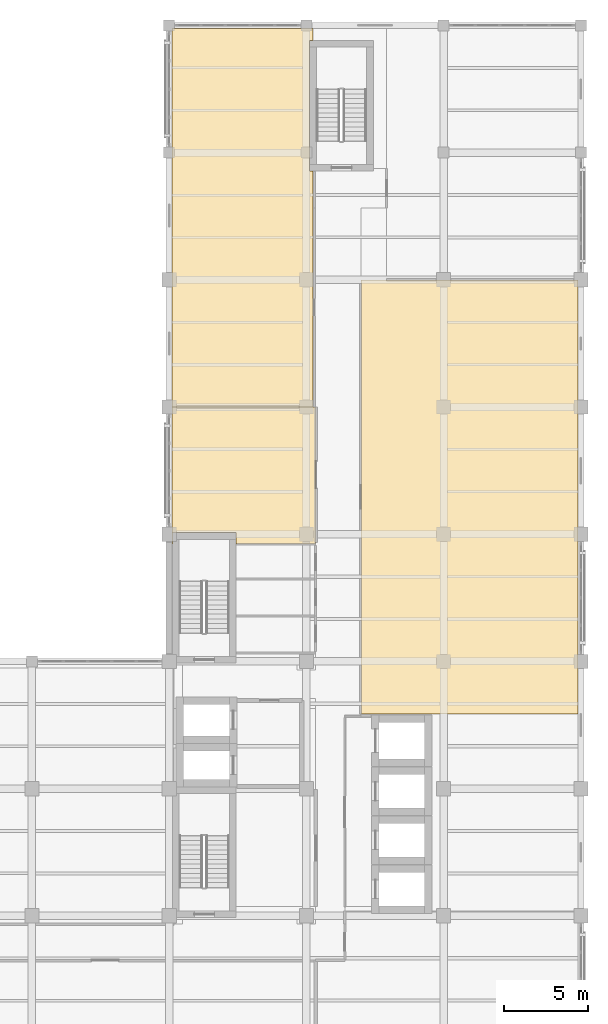
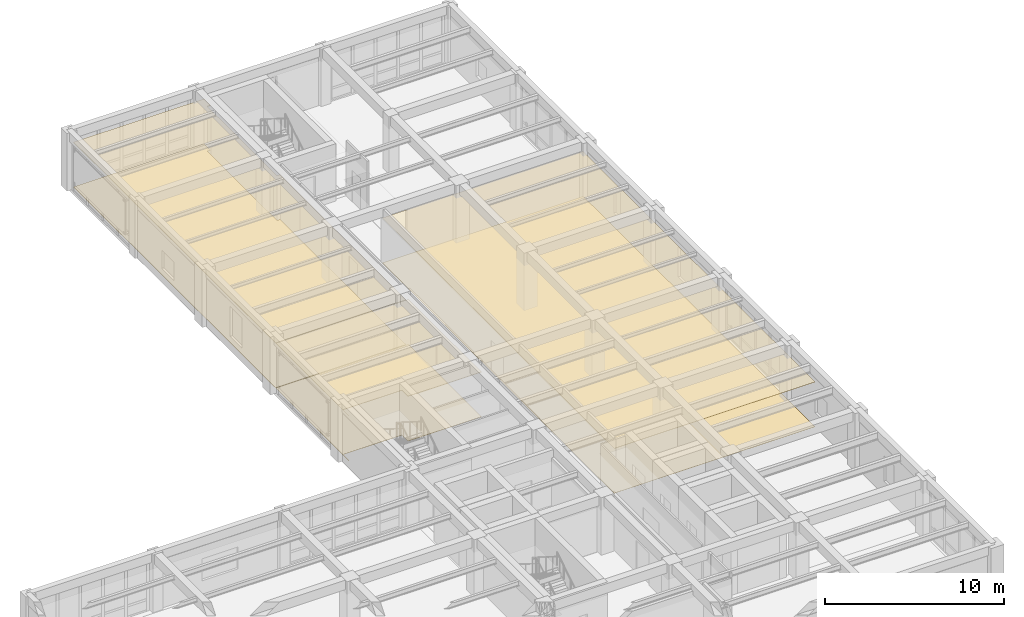
# One storey, part 16 of 17: 6 coverings.
"""IFC4 building model written with IfcOpenShell, lengths in metres."""

import ifcopenshell
import ifcopenshell.guid

model = None  # the IFC model being written
_history = None  # IfcOwnerHistory: only IFC2X3 demands one
_inside = {}  # id of a spatial element -> (the spatial element, [elements in it])
_under = {}  # id of a project, library or spatial element -> (it, [spatial elements below it])
_declared = {}  # id of a project -> (the project, [libraries it declares])
_typed = {}  # id of a type object -> (the type object, [elements of that type])
_made_of = {}  # id of a material, layer set ... -> (it, [elements and type objects made of it])


def new_model(schema):
    """Start an empty IFC model of exactly this schema.

    Asked for "IFC4X3", IfcOpenShell would pick the latest addendum, in which some entities
    have other attributes; the version numbers below select the first issue.
    IFC2X3 requires an IfcOwnerHistory on every rooted entity: one is made here for all.
    """
    global model, _history
    if schema == "IFC4X3":
        model = ifcopenshell.file(schema_version=(4, 3, 0, 0))
    else:
        model = ifcopenshell.file(schema=schema)
    _inside.clear()
    _under.clear()
    _declared.clear()
    _typed.clear()
    _made_of.clear()
    _history = None
    if model.schema == "IFC2X3":
        org = make("IfcOrganization", Name="unknown")
        user = make(
            "IfcPersonAndOrganization",
            ThePerson=make("IfcPerson", FamilyName="unknown"),
            TheOrganization=org,
        )
        app = make(
            "IfcApplication",
            ApplicationDeveloper=org,
            Version="unknown",
            ApplicationFullName="unknown",
            ApplicationIdentifier="unknown",
        )
        _history = make(
            "IfcOwnerHistory",
            OwningUser=user,
            OwningApplication=app,
            ChangeAction="ADDED",
            CreationDate=0,
        )
    return model


def make(cls, **values):
    """One entity of the class cls with the attributes given. An attribute that is None is left unset."""
    return model.create_entity(
        cls, **{name: value for name, value in values.items() if value is not None}
    )


def rooted(cls, **values):
    """An entity with a GlobalId (a new one), such as an element, a storey or a relation."""
    return make(cls, GlobalId=ifcopenshell.guid.new(), OwnerHistory=_history, **values)


def si_unit(unit_type, name, prefix=None):
    """IfcSIUnit, for example si_unit("LENGTHUNIT", "METRE", prefix="MILLI")."""
    return make("IfcSIUnit", UnitType=unit_type, Prefix=prefix, Name=name)


def assignment(units):
    """IfcUnitAssignment: the units of a project."""
    return None if units is None else make("IfcUnitAssignment", Units=units)


def point(xyz):
    """IfcCartesianPoint."""
    return None if xyz is None else make("IfcCartesianPoint", Coordinates=xyz)


def direction(xyz):
    """IfcDirection."""
    return None if xyz is None else make("IfcDirection", DirectionRatios=xyz)


def frame(location, z_axis=None, x_axis=None):
    """IfcAxis2Placement3D, a coordinate frame: its origin and axes. An axis left out is left unset."""
    return make(
        "IfcAxis2Placement3D",
        Location=point(location),
        Axis=direction(z_axis),
        RefDirection=direction(x_axis),
    )


def origin():
    """The frame at (0, 0, 0) with its axes left unset."""
    return frame((0.0, 0.0, 0.0))


def place(relative_to, where):
    """IfcLocalPlacement: puts the frame where relative to a parent placement (None: the world)."""
    return make(
        "IfcLocalPlacement", PlacementRelTo=relative_to, RelativePlacement=where
    )


def context(
    kind, dimensions, precision=None, world=None, true_north=None, identifier=None
):
    """IfcGeometricRepresentationContext, for example the 3D "Model" context."""
    return make(
        "IfcGeometricRepresentationContext",
        ContextIdentifier=identifier,
        ContextType=kind,
        CoordinateSpaceDimension=dimensions,
        Precision=precision,
        WorldCoordinateSystem=world,
        TrueNorth=true_north,
    )


def subcontext(parent, identifier, kind, view, scale=None):
    """IfcGeometricRepresentationSubContext, for example "Body" below "Model"."""
    return make(
        "IfcGeometricRepresentationSubContext",
        ContextIdentifier=identifier,
        ContextType=kind,
        ParentContext=parent,
        TargetScale=scale,
        TargetView=view,
    )


def project(units=None, contexts=None):
    """IfcProject with its units and contexts."""
    return rooted(
        "IfcProject",
        Name="project",
        RepresentationContexts=contexts,
        UnitsInContext=assignment(units),
    )


def spatial(cls, under=None, at=None, **own):
    """A site, building, storey or space (cls), placed at a placement, below another one or the project."""
    s = rooted(cls, ObjectPlacement=at, **own)
    if under is not None:
        _under.setdefault(under.id(), (under, []))[1].append(s)
    return s


def polyline(points):
    """IfcPolyline through the points."""
    return make("IfcPolyline", Points=[point(p) for p in points])


def outline(outer, holes=None, kind="AREA"):
    """IfcArbitraryClosedProfileDef: a profile drawn as a closed curve; with holes, ...WithVoids."""
    if holes is None:
        return make("IfcArbitraryClosedProfileDef", ProfileType=kind, OuterCurve=outer)
    return make(
        "IfcArbitraryProfileDefWithVoids",
        ProfileType=kind,
        OuterCurve=outer,
        InnerCurves=holes,
    )


def extrude(swept, where, along, depth):
    """IfcExtrudedAreaSolid: the profile swept, set in the frame where, extruded along a direction by depth."""
    return make(
        "IfcExtrudedAreaSolid",
        SweptArea=swept,
        Position=where,
        ExtrudedDirection=direction(along),
        Depth=depth,
    )


def shape(context_of_items, identifier, shape_type, items):
    """IfcShapeRepresentation: the items that make up one representation, for example the "Body"."""
    return make(
        "IfcShapeRepresentation",
        ContextOfItems=context_of_items,
        RepresentationIdentifier=identifier,
        RepresentationType=shape_type,
        Items=items,
    )


def material(Name=None, Category=None):
    """IfcMaterial."""
    return make("IfcMaterial", Name=Name, Category=Category)


def layer(
    of_material, thickness, ventilated=None, Name=None, Category=None, Priority=None
):
    """IfcMaterialLayer: one layer of a wall or slab, of a material (None: an air gap)."""
    return make(
        "IfcMaterialLayer",
        Material=of_material,
        LayerThickness=thickness,
        IsVentilated=ventilated,
        Name=Name,
        Category=Category,
        Priority=Priority,
    )


def layer_set(layers, Name=None):
    """IfcMaterialLayerSet."""
    return make("IfcMaterialLayerSet", MaterialLayers=layers, LayerSetName=Name)


def made_of(thing, what):
    """Note that an element or type object is made of a material, layer set ...; save() writes the relation."""
    if what is not None:
        _made_of.setdefault(what.id(), (what, []))[1].append(thing)
    return thing


def type_object(cls, material=None, **own):
    """A type object (cls), such as IfcWallType, which elements share."""
    return made_of(rooted(cls, **own), material)


def element(
    cls,
    number,
    at=None,
    inside=None,
    cuts=None,
    type_object=None,
    material=None,
    context=None,
    identifier="Body",
    shape_type=None,
    held_by="IfcProductDefinitionShape",
    body=None,
    shapes=None,
    **own,
):
    """One element of the class cls, such as IfcWall. Its Tag is "e" and its number.

    at: its placement. inside: the storey or other place that contains it. cuts: it is an
    opening in that element (IfcRelVoidsElement). A single representation is given by context,
    identifier, shape_type and body (its items); several are given by shapes. held_by: the class
    of the entity that holds the representations. save() writes the other relations.
    """
    e = rooted(cls, Tag="e%d" % number, ObjectPlacement=at, **own)
    if body is not None:
        shapes = [shape(context, identifier, shape_type, body)]
    if shapes is not None:
        e.Representation = make(held_by, Representations=shapes)
    if inside is not None:
        _inside.setdefault(inside.id(), (inside, []))[1].append(e)
    if cuts is not None:
        rooted(
            "IfcRelVoidsElement", RelatingBuildingElement=cuts, RelatedOpeningElement=e
        )
    if type_object is not None:
        _typed.setdefault(type_object.id(), (type_object, []))[1].append(e)
    return made_of(e, material)


def aggregate(whole, parts):
    """IfcRelAggregates: a whole, such as a stair, and the parts it consists of."""
    return rooted("IfcRelAggregates", RelatingObject=whole, RelatedObjects=parts)


def save(model, path):
    """Write the relations noted so far, then the file.

    IfcRelAggregates (storeys below a building ...), IfcRelContainedInSpatialStructure (elements
    in a storey), IfcRelDefinesByType, IfcRelAssociatesMaterial and IfcRelDeclares: one each for
    every whole, place, type object, material and project.
    """
    for whole, parts in _under.values():
        aggregate(whole, parts)
    for where, things in _inside.values():
        rooted(
            "IfcRelContainedInSpatialStructure",
            RelatedElements=things,
            RelatingStructure=where,
        )
    for kind, things in _typed.values():
        rooted("IfcRelDefinesByType", RelatedObjects=things, RelatingType=kind)
    for what, things in _made_of.values():
        rooted("IfcRelAssociatesMaterial", RelatedObjects=things, RelatingMaterial=what)
    for by, libraries in _declared.values():
        rooted("IfcRelDeclares", RelatingContext=by, RelatedDefinitions=libraries)
    model.write(path)


model = new_model("IFC4")

# Units and contexts
model_context = context("Model", 3, precision=1e-05, world=origin(), true_north=direction((0.0, 1.0)))
body_context = subcontext(model_context, "Body", "Model", "MODEL_VIEW")
ifc_project = project(units=[si_unit("LENGTHUNIT", "METRE"), si_unit("AREAUNIT", "SQUARE_METRE"), si_unit("VOLUMEUNIT", "CUBIC_METRE"), si_unit("PLANEANGLEUNIT", "RADIAN"), si_unit("MASSUNIT", "GRAM", prefix="KILO")], contexts=[model_context])

# Site, building, storey
site_placement = place(None, origin())
site = spatial("IfcSite", under=ifc_project, at=site_placement, CompositionType="ELEMENT")
building_placement = place(site_placement, origin())
building = spatial("IfcBuilding", under=site, at=building_placement, Name="Qandaris Square Conservatory and Botanical Centre", CompositionType="ELEMENT")
storey_placement = place(building_placement, frame((0.0, 0.0, 28.199951171875)))
storey = spatial("IfcBuildingStorey", under=building, at=storey_placement, Name="L06", CompositionType="ELEMENT", Elevation=28.199951171875)

# Coverings
ifc_material_1 = material(Name="Honed Qatari Limestone", Category="masonry")
ifc_layer_1 = layer(ifc_material_1, 0.030029296875)
ifc_layer_set_1 = layer_set([ifc_layer_1], Name="Honed Qatari Limestone")
covering_type_1 = type_object("IfcCoveringType", Name="Honed Qatari Limestone Concourse Paving", PredefinedType="FLOORING", material=ifc_layer_set_1)
covering_1_placement = place(storey_placement, origin())
element("IfcCovering", 1, at=covering_1_placement, inside=storey, type_object=covering_type_1, Name="Arid Agroforestry Collaborative Seminar Room Flooring", PredefinedType="FLOORING", context=body_context, shape_type="SweptSolid", body=[
    extrude(outline(polyline([(147.800048828125, 76.5), (147.60009765625, 76.5), (147.60009765625, 68.699951171875), (147.800048828125, 68.699951171875), (147.800048828125, 54.60009765625), (139.3798828125, 54.60009765625), (139.3798828125, 77.219970703125), (147.800048828125, 77.219970703125), (147.800048828125, 76.5)])), origin(), (0.0, 0.0, 1.0), 0.030029296875),
])
ifc_material_2 = material(Name="Gypsum Plasterboard", Category="gypsum")
ifc_layer_2 = layer(ifc_material_2, 0.02490234375)
ifc_layer_set_2 = layer_set([ifc_layer_2], Name="Gypsum Plasterboard")
covering_type_2 = type_object("IfcCoveringType", Name="Perforated Acoustic Lab Ceiling Tile", PredefinedType="CEILING", material=ifc_layer_set_2)
covering_2_placement = place(storey_placement, frame((0.0, 0.0, 3.050048828125)))
element("IfcCovering", 2, at=covering_2_placement, inside=storey, type_object=covering_type_2, Name="Conservation Genetics Analytical Laboratory Ceiling", PredefinedType="CEILING", context=body_context, shape_type="SweptSolid", body=[
    extrude(outline(polyline([(150.64990234375, 62.199951171875), (163.6201171875, 62.199951171875), (163.6201171875, 36.25), (150.64990234375, 36.25), (150.64990234375, 62.199951171875)])), origin(), (0.0, 0.0, 1.0), 0.02490234375),
])
covering_3_placement = place(storey_placement, frame((0.0, 0.0, 3.050048828125)))
element("IfcCovering", 3, at=covering_3_placement, inside=storey, type_object=covering_type_2, Name="Pollinator Ecology Specimen Prep Room Ceiling", PredefinedType="CEILING", context=body_context, shape_type="SweptSolid", body=[
    extrude(outline(polyline([(147.949951171875, 46.419921875), (143.199951171875, 46.419921875), (143.199951171875, 47.10009765625), (139.39990234375, 47.10009765625), (139.39990234375, 46.419921875), (139.3798828125, 46.419921875), (139.3798828125, 54.60009765625), (147.949951171875, 54.60009765625), (147.949951171875, 46.419921875)])), origin(), (0.0, 0.0, 1.0), 0.02490234375),
])
ifc_material_3 = material(Name="Epoxy Resin Screed", Category="finish")
ifc_layer_3 = layer(ifc_material_3, 0.014892578125)
ifc_layer_set_3 = layer_set([ifc_layer_3], Name="Epoxy Resin Screed")
covering_type_3 = type_object("IfcCoveringType", Name="Seamless Epoxy Laboratory Flooring", PredefinedType="FLOORING", material=ifc_layer_set_3)
covering_4_placement = place(storey_placement, origin())
element("IfcCovering", 4, at=covering_4_placement, inside=storey, type_object=covering_type_3, Name="Conservation Genetics Analytical Laboratory Flooring", PredefinedType="FLOORING", context=body_context, shape_type="SweptSolid", body=[
    extrude(outline(polyline([(150.64990234375, 62.199951171875), (163.6201171875, 62.199951171875), (163.6201171875, 36.25), (150.64990234375, 36.25), (150.64990234375, 62.199951171875)])), origin(), (0.0, 0.0, 1.0), 0.01513671875),
])
covering_5_placement = place(storey_placement, origin())
element("IfcCovering", 5, at=covering_5_placement, inside=storey, type_object=covering_type_3, Name="Pollinator Ecology Specimen Prep Room Flooring", PredefinedType="FLOORING", context=body_context, shape_type="SweptSolid", body=[
    extrude(outline(polyline([(147.949951171875, 46.419921875), (143.199951171875, 46.419921875), (143.199951171875, 47.10009765625), (139.39990234375, 47.10009765625), (139.39990234375, 46.419921875), (139.3798828125, 46.419921875), (139.3798828125, 54.60009765625), (147.949951171875, 54.60009765625), (147.949951171875, 46.419921875)])), origin(), (0.0, 0.0, 1.0), 0.01513671875),
])
ifc_material_4 = material(Name="Engineered Oak Timber", Category="wood")
ifc_layer_4 = layer(ifc_material_4, 0.0400390625)
ifc_layer_set_4 = layer_set([ifc_layer_4], Name="Engineered Oak Timber")
covering_type_4 = type_object("IfcCoveringType", Name="Slatted Oak Acoustic Gallery Ceiling", PredefinedType="CEILING", material=ifc_layer_set_4)
covering_6_placement = place(storey_placement, frame((0.0, 0.0, 3.050048828125)))
element("IfcCovering", 6, at=covering_6_placement, inside=storey, type_object=covering_type_4, Name="Arid Agroforestry Collaborative Seminar Room Ceiling", PredefinedType="CEILING", context=body_context, shape_type="SweptSolid", body=[
    extrude(outline(polyline([(147.800048828125, 76.5), (147.60009765625, 76.5), (147.60009765625, 68.699951171875), (147.800048828125, 68.699951171875), (147.800048828125, 54.60009765625), (139.3798828125, 54.60009765625), (139.3798828125, 77.219970703125), (147.800048828125, 77.219970703125), (147.800048828125, 76.5)])), origin(), (0.0, 0.0, 1.0), 0.0400390625),
])

save(model, "model.ifc")
